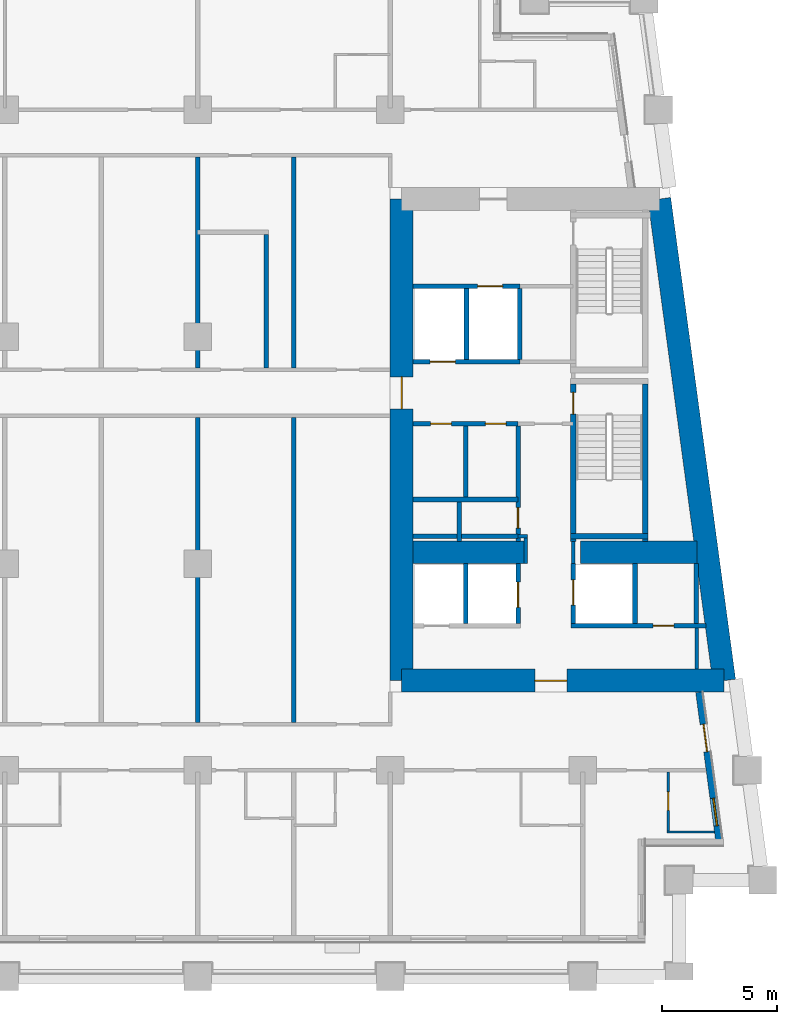
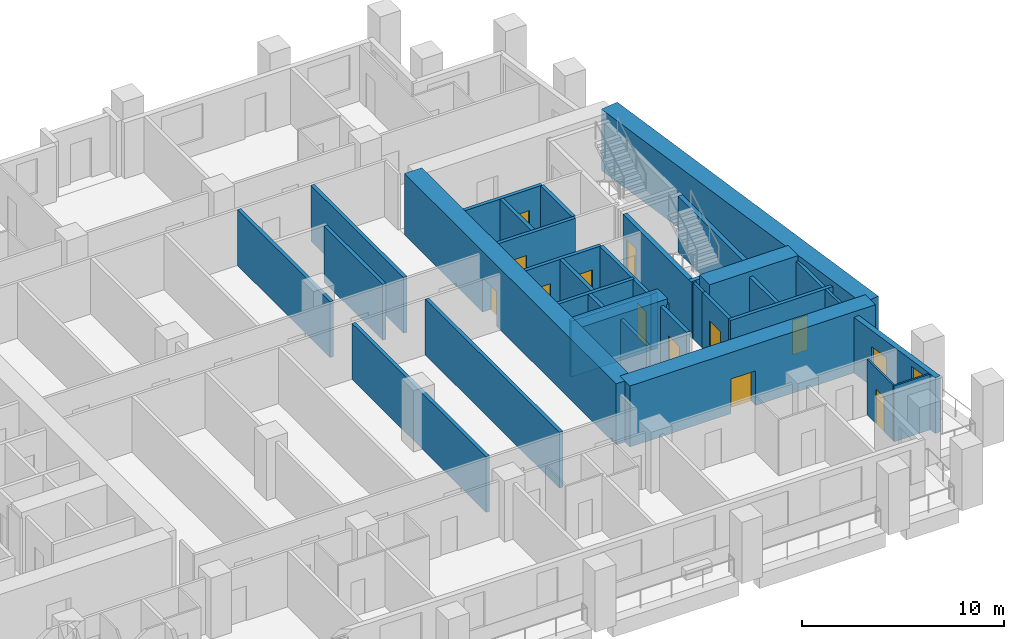
# One storey, part 5 of 13: 36 walls, 13 doors, 1 window, 14 openings.
"""IFC4 building model written with IfcOpenShell, lengths in metres."""

from ifc_helpers import new_model, si_unit, direction, frame, frame_2d, origin, place, context, subcontext, project, spatial, rectangle, extrude, material, layer, layer_set, type_object, element, fill, save


model = new_model("IFC4")

# Units and contexts
model_context = context("Model", 3, precision=1e-05, world=origin(), true_north=direction((0.0, 1.0)))
body_context = subcontext(model_context, "Body", "Model", "MODEL_VIEW")
ifc_project = project(units=[si_unit("LENGTHUNIT", "METRE"), si_unit("AREAUNIT", "SQUARE_METRE"), si_unit("VOLUMEUNIT", "CUBIC_METRE"), si_unit("PLANEANGLEUNIT", "RADIAN"), si_unit("MASSUNIT", "GRAM", prefix="KILO")], contexts=[model_context])

# Site, building, storey
site_placement = place(None, origin())
site = spatial("IfcSite", under=ifc_project, at=site_placement, CompositionType="ELEMENT")
building_placement = place(site_placement, origin())
building = spatial("IfcBuilding", under=site, at=building_placement, Name="Candeia Pilgrim Tower and Theatre", CompositionType="ELEMENT")
storey_placement = place(building_placement, frame((0.0, 0.0, 102.10009765625)))
storey = spatial("IfcBuildingStorey", under=building, at=storey_placement, Name="L23", CompositionType="ELEMENT", Elevation=102.10009765625)

# Wall
ifc_material_1 = material(Name="Concrete C70/85", Category="concrete")
ifc_layer_1 = layer(ifc_material_1, 1.0)
ifc_layer_set_1 = layer_set([ifc_layer_1], Name="Core wall 1000 C70/85")
wall_type_1 = type_object("IfcWallType", Name="Core wall 1000 C70/85", PredefinedType="SHEAR", material=ifc_layer_set_1)
wall_1_placement = place(storey_placement, frame((137.73193359375, 131.89990234375, 0.0), z_axis=(0.0, 0.0, 1.0), x_axis=(0.133411141623, -0.991060778808, 0.0)))
element("IfcWall", 1, at=wall_1_placement, inside=storey, type_object=wall_type_1, Name="Core wall E2", PredefinedType="SHEAR", context=body_context, shape_type="SweptSolid", body=[
    extrude(rectangle(XDim=21.189453125, YDim=1.0, at=frame_2d((10.5947265625, 0.0))), origin(), (0.0, 0.0, 1.0), 3.699951171875),
])

# Wall, opening, door
wall_2_placement = place(storey_placement, frame((140.558837890625, 110.89990234375, 0.0), z_axis=(0.0, 0.0, 1.0), x_axis=(-1.0, 0.0, 0.0)))
wall_2 = element("IfcWall", 2, at=wall_2_placement, inside=storey, type_object=wall_type_1, Name="Core wall E3", PredefinedType="SHEAR", context=body_context, shape_type="SweptSolid", body=[
    extrude(rectangle(XDim=14.058837890625, YDim=1.0, at=frame_2d((7.029296875, 0.0))), origin(), (0.0, 0.0, 1.0), 3.699951171875),
])
opening_1_placement = place(wall_2_placement, frame((6.857666015625, 0.0, 0.0)))
opening_1 = element("IfcOpeningElement", 3, at=opening_1_placement, cuts=wall_2, Name="Opening L23-D062", PredefinedType="OPENING", context=body_context, shape_type="SweptSolid", body=[
    extrude(rectangle(XDim=1.39990234375, YDim=2.10009765625, at=frame_2d((0.699951171875, 1.050048828125))), frame((0.0, 0.510009765625, 0.0), z_axis=(0.0, -1.0, 0.0), x_axis=(1.0, 0.0, 0.0)), (0.0, 0.0, 1.0), 1.02001953125),
])
ifc_material_2 = material(Name="Steel fire door set", Category="steel")
door_type_1 = type_object("IfcDoorType", Name="D-1400-FD60", OperationType="NOTDEFINED", PredefinedType="DOOR", material=ifc_material_2)
door_1_placement = place(opening_1_placement, origin())
door_1 = element("IfcDoor", 4, at=door_1_placement, inside=storey, type_object=door_type_1, Name="Door L23-D062", OperationType="SINGLE_SWING_LEFT", OverallHeight=2.10009765625, OverallWidth=1.39990234375, PredefinedType="DOOR", context=body_context, shape_type="SweptSolid", body=[
    extrude(rectangle(XDim=1.39990234375, YDim=2.10009765625, at=frame_2d((0.699951171875, 1.050048828125))), frame((0.0, 0.02490234375, 0.0), z_axis=(0.0, -1.0, 0.0), x_axis=(1.0, 0.0, 0.0)), (0.0, 0.0, 1.0), 0.050048828125),
])
fill(opening_1, door_1)

wall_3_placement = place(storey_placement, frame((126.5, 110.89990234375, 0.0), z_axis=(0.0, 0.0, 1.0), x_axis=(0.0, 1.0, 0.0)))
wall_3 = element("IfcWall", 5, at=wall_3_placement, inside=storey, type_object=wall_type_1, Name="Core wall E4", PredefinedType="SHEAR", context=body_context, shape_type="SweptSolid", body=[
    extrude(rectangle(XDim=21.0, YDim=1.0, at=frame_2d((10.5, 0.0))), origin(), (0.0, 0.0, 1.0), 3.699951171875),
])
opening_2_placement = place(wall_3_placement, frame((11.85009765625, 0.0, 0.0)))
opening_2 = element("IfcOpeningElement", 6, at=opening_2_placement, cuts=wall_3, Name="Opening L23-D064", PredefinedType="OPENING", context=body_context, shape_type="SweptSolid", body=[
    extrude(rectangle(XDim=1.39990234375, YDim=2.10009765625, at=frame_2d((0.699951171875, 1.050048828125))), frame((0.0, 0.510009765625, 0.0), z_axis=(0.0, -1.0, 0.0), x_axis=(1.0, 0.0, 0.0)), (0.0, 0.0, 1.0), 1.02001953125),
])
door_2_placement = place(opening_2_placement, origin())
door_2 = element("IfcDoor", 7, at=door_2_placement, inside=storey, type_object=door_type_1, Name="Door L23-D064", OperationType="SINGLE_SWING_LEFT", OverallHeight=2.10009765625, OverallWidth=1.39990234375, PredefinedType="DOOR", context=body_context, shape_type="SweptSolid", body=[
    extrude(rectangle(XDim=1.39990234375, YDim=2.10009765625, at=frame_2d((0.699951171875, 1.050048828125))), frame((0.0, 0.02490234375, 0.0), z_axis=(0.0, -1.0, 0.0), x_axis=(1.0, 0.0, 0.0)), (0.0, 0.0, 1.0), 0.050048828125),
])
fill(opening_2, door_2)

# Walls
wall_4_placement = place(storey_placement, frame((127.0, 116.5, 0.0), z_axis=(0.0, 0.0, 1.0), x_axis=(1.0, 0.0, 0.0)))
element("IfcWall", 8, at=wall_4_placement, inside=storey, type_object=wall_type_1, Name="Core wall E5", PredefinedType="SHEAR", context=body_context, shape_type="SweptSolid", body=[
    extrude(rectangle(XDim=4.89990234375, YDim=1.0, at=frame_2d((2.449951171875, 0.0))), origin(), (0.0, 0.0, 1.0), 3.699951171875),
])
wall_5_placement = place(storey_placement, frame((134.300048828125, 116.5, 0.0), z_axis=(0.0, 0.0, 1.0), x_axis=(1.0, 0.0, 0.0)))
element("IfcWall", 9, at=wall_5_placement, inside=storey, type_object=wall_type_1, Name="Core wall E6", PredefinedType="SHEAR", context=body_context, shape_type="SweptSolid", body=[
    extrude(rectangle(XDim=5.076904296875, YDim=1.0, at=frame_2d((2.53857421875, 0.0))), origin(), (0.0, 0.0, 1.0), 3.699951171875),
])

# Wall, openings, door, window
ifc_material_3 = material(Name="Ceramic block masonry", Category="masonry")
ifc_layer_2 = layer(ifc_material_3, 0.300048828125)
ifc_layer_set_2 = layer_set([ifc_layer_2], Name="EW1 glazing-line wall 300")
wall_type_2 = type_object("IfcWallType", Name="EW1 glazing-line wall 300", PredefinedType="SOLIDWALL", material=ifc_layer_set_2)
wall_6_placement = place(storey_placement, frame((140.34765625, 103.85009765625, 0.0), z_axis=(0.0, 0.0, 1.0), x_axis=(-0.133431549479, 0.991058031401, 0.0)))
wall_6 = element("IfcWall", 10, at=wall_6_placement, inside=storey, type_object=wall_type_2, Name="External wall L23-3.0", PredefinedType="SOLIDWALL", context=body_context, shape_type="SweptSolid", body=[
    extrude(rectangle(XDim=6.60888671875, YDim=0.300048828125, at=frame_2d((3.304443359375, 0.0))), origin(), (0.0, 0.0, 1.0), 3.3798828125),
])
opening_3_placement = place(wall_6_placement, frame((0.736572265625, 0.0, 0.89990234375)))
opening_3 = element("IfcOpeningElement", 11, at=opening_3_placement, cuts=wall_6, Name="Opening W-B", PredefinedType="OPENING", context=body_context, shape_type="SweptSolid", body=[
    extrude(rectangle(XDim=1.199951171875, YDim=2.10009765625, at=frame_2d((0.60009765625, 1.050048828125))), frame((0.0, 0.16015625, 0.0), z_axis=(0.0, -1.0, 0.0), x_axis=(1.0, 0.0, 0.0)), (0.0, 0.0, 1.0), 0.320068359375),
])
opening_4_placement = place(wall_6_placement, frame((3.990966796875, 0.0, 0.0)))
opening_4 = element("IfcOpeningElement", 12, at=opening_4_placement, cuts=wall_6, Name="Opening L23-ED235", PredefinedType="OPENING", context=body_context, shape_type="SweptSolid", body=[
    extrude(rectangle(XDim=1.199951171875, YDim=2.39990234375, at=frame_2d((0.60009765625, 1.199951171875))), frame((0.0, 0.16015625, 0.0), z_axis=(0.0, -1.0, 0.0), x_axis=(1.0, 0.0, 0.0)), (0.0, 0.0, 1.0), 0.320068359375),
])
ifc_material_4 = material(Name="Aluminium framed glazed door", Category="aluminium")
door_type_2 = type_object("IfcDoorType", Name="Loggia door 1200x2400", OperationType="DOUBLE_DOOR_SINGLE_SWING", PredefinedType="DOOR", material=ifc_material_4)
door_3_placement = place(opening_4_placement, origin())
door_3 = element("IfcDoor", 13, at=door_3_placement, inside=storey, type_object=door_type_2, Name="Loggia door L23-ED235", OperationType="DOUBLE_DOOR_SINGLE_SWING", OverallHeight=2.39990234375, OverallWidth=1.199951171875, PredefinedType="DOOR", context=body_context, shape_type="SweptSolid", body=[
    extrude(rectangle(XDim=1.199951171875, YDim=2.39990234375, at=frame_2d((0.60009765625, 1.199951171875))), frame((0.0, 0.02490234375, 0.0), z_axis=(0.0, -1.0, 0.0), x_axis=(1.0, 0.0, 0.0)), (0.0, 0.0, 1.0), 0.050048828125),
])
fill(opening_4, door_3)
ifc_material_5 = material(Name="Aluminium framed double glazing", Category="aluminium")
window_type = type_object("IfcWindowType", Name="W-B window 1200x2100", PartitioningType="SINGLE_PANEL", PredefinedType="WINDOW", material=ifc_material_5)
window_placement = place(opening_3_placement, origin())
window = element("IfcWindow", 14, at=window_placement, inside=storey, type_object=window_type, Name="Window W-B L23", OverallHeight=2.10009765625, OverallWidth=1.199951171875, PartitioningType="SINGLE_PANEL", PredefinedType="WINDOW", context=body_context, shape_type="SweptSolid", body=[
    extrude(rectangle(XDim=1.199951171875, YDim=2.10009765625, at=frame_2d((0.60009765625, 1.050048828125))), frame((0.0, 0.030029296875, 0.0), z_axis=(0.0, -1.0, 0.0), x_axis=(1.0, 0.0, 0.0)), (0.0, 0.0, 1.0), 0.06005859375),
])
fill(opening_3, window)

# Wall
ifc_material_6 = material(Name="Gypsum board partition on steel studs", Category="steel")
ifc_layer_3 = layer(ifc_material_6, 0.10009765625)
ifc_layer_set_3 = layer_set([ifc_layer_3], Name="PW-100 room partition")
wall_type_3 = type_object("IfcWallType", Name="PW-100 room partition", PredefinedType="PARTITIONING", material=ifc_layer_set_3)
wall_7_placement = place(storey_placement, frame((138.070068359375, 104.300048828125, 0.0), z_axis=(0.0, 0.0, 1.0), x_axis=(1.0, 0.0, 0.0)))
element("IfcWall", 15, at=wall_7_placement, inside=storey, type_object=wall_type_3, Name="Room partition L23-002", PredefinedType="PARTITIONING", context=body_context, shape_type="SweptSolid", body=[
    extrude(rectangle(XDim=2.07568359375, YDim=0.10009765625, at=frame_2d((1.037841796875, 0.0))), origin(), (0.0, 0.0, 1.0), 3.3798828125),
])

# Wall, opening, door
wall_8_placement = place(storey_placement, frame((138.1201171875, 104.35009765625, 0.0), z_axis=(0.0, 0.0, 1.0), x_axis=(0.0, 1.0, 0.0)))
wall_8 = element("IfcWall", 16, at=wall_8_placement, inside=storey, type_object=wall_type_3, Name="Room partition L23-123", PredefinedType="PARTITIONING", context=body_context, shape_type="SweptSolid", body=[
    extrude(rectangle(XDim=2.574951171875, YDim=0.10009765625, at=frame_2d((1.28759765625, 0.0))), origin(), (0.0, 0.0, 1.0), 3.3798828125),
])
opening_5_placement = place(wall_8_placement, frame((0.89990234375, 0.0, 0.0)))
opening_5 = element("IfcOpeningElement", 17, at=opening_5_placement, cuts=wall_8, Name="Opening L23-D033", PredefinedType="OPENING", context=body_context, shape_type="SweptSolid", body=[
    extrude(rectangle(XDim=0.800048828125, YDim=2.10009765625, at=frame_2d((0.39990234375, 1.050048828125))), frame((0.0, 0.06005859375, 0.0), z_axis=(0.0, -1.0, 0.0), x_axis=(1.0, 0.0, 0.0)), (0.0, 0.0, 1.0), 0.1201171875),
])
ifc_material_7 = material(Name="Timber door leaf", Category="wood")
door_type_3 = type_object("IfcDoorType", Name="D-800", OperationType="NOTDEFINED", PredefinedType="DOOR", material=ifc_material_7)
door_4_placement = place(opening_5_placement, origin())
door_4 = element("IfcDoor", 18, at=door_4_placement, inside=storey, type_object=door_type_3, Name="Door L23-D033", OperationType="SINGLE_SWING_RIGHT", OverallHeight=2.10009765625, OverallWidth=0.800048828125, PredefinedType="DOOR", context=body_context, shape_type="SweptSolid", body=[
    extrude(rectangle(XDim=0.800048828125, YDim=2.10009765625, at=frame_2d((0.39990234375, 1.050048828125))), frame((0.0, 0.02490234375, 0.0), z_axis=(0.0, -1.0, 0.0), x_axis=(1.0, 0.0, 0.0)), (0.0, 0.0, 1.0), 0.050048828125),
])
fill(opening_5, door_4)

# Walls
ifc_layer_4 = layer(ifc_material_6, 0.14990234375)
ifc_layer_set_4 = layer_set([ifc_layer_4], Name="PW-150 lobby wall")
wall_type_4 = type_object("IfcWallType", Name="PW-150 lobby wall", PredefinedType="PARTITIONING", material=ifc_layer_set_4)
wall_9_placement = place(storey_placement, frame((131.572998046875, 117.199951171875, 0.0), z_axis=(0.0, 0.0, 1.0), x_axis=(1.0, 0.0, 0.0)))
element("IfcWall", 19, at=wall_9_placement, inside=storey, type_object=wall_type_4, Name="Lobby wall L23-018", PredefinedType="PARTITIONING", context=body_context, shape_type="SweptSolid", body=[
    extrude(rectangle(XDim=0.402099609375, YDim=0.14990234375, at=frame_2d((0.201171875, 0.0))), origin(), (0.0, 0.0, 1.0), 3.3798828125),
])
wall_10_placement = place(storey_placement, frame((131.89990234375, 116.0, 0.0), z_axis=(0.0, 0.0, 1.0), x_axis=(0.0, 1.0, 0.0)))
element("IfcWall", 20, at=wall_10_placement, inside=storey, type_object=wall_type_4, Name="Lobby wall L23-112", PredefinedType="PARTITIONING", context=body_context, shape_type="SweptSolid", body=[
    extrude(rectangle(XDim=1.125, YDim=0.14990234375, at=frame_2d((0.5625, 0.0))), origin(), (0.0, 0.0, 1.0), 3.3798828125),
])
wall_11_placement = place(storey_placement, frame((133.972900390625, 116.0, 0.0), z_axis=(0.0, 0.0, 1.0), x_axis=(0.0, 1.0, 0.0)))
element("IfcWall", 21, at=wall_11_placement, inside=storey, type_object=wall_type_4, Name="Lobby wall L23-115", PredefinedType="PARTITIONING", context=body_context, shape_type="SweptSolid", body=[
    extrude(rectangle(XDim=0.969970703125, YDim=0.14990234375, at=frame_2d((0.48486328125, 0.0))), origin(), (0.0, 0.0, 1.0), 3.3798828125),
])
wall_12_placement = place(storey_placement, frame((139.37109375, 111.39990234375, 0.0), z_axis=(0.0, 0.0, 1.0), x_axis=(0.0, 1.0, 0.0)))
element("IfcWall", 22, at=wall_12_placement, inside=storey, type_object=wall_type_4, Name="Lobby wall L23-125", PredefinedType="PARTITIONING", context=body_context, shape_type="SweptSolid", body=[
    extrude(rectangle(XDim=1.800048828125, YDim=0.14990234375, at=frame_2d((0.89990234375, 0.0))), origin(), (0.0, 0.0, 1.0), 3.3798828125),
])
ifc_layer_5 = layer(ifc_material_6, 0.199951171875)
ifc_layer_set_5 = layer_set([ifc_layer_5], Name="PW-200 party wall")
wall_type_5 = type_object("IfcWallType", Name="PW-200 party wall", PredefinedType="PARTITIONING", material=ifc_layer_set_5)
wall_13_placement = place(storey_placement, frame((117.60009765625, 109.074951171875, 0.0), z_axis=(0.0, 0.0, 1.0), x_axis=(0.0, 1.0, 0.0)))
element("IfcWall", 23, at=wall_13_placement, inside=storey, type_object=wall_type_5, Name="Party wall L23-089", PredefinedType="PARTITIONING", context=body_context, shape_type="SweptSolid", body=[
    extrude(rectangle(XDim=13.300048828125, YDim=0.199951171875, at=frame_2d((6.64990234375, 0.0))), origin(), (0.0, 0.0, 1.0), 3.3798828125),
])
wall_14_placement = place(storey_placement, frame((117.60009765625, 124.52490234375, 0.0), z_axis=(0.0, 0.0, 1.0), x_axis=(0.0, 1.0, 0.0)))
element("IfcWall", 24, at=wall_14_placement, inside=storey, type_object=wall_type_5, Name="Party wall L23-090", PredefinedType="PARTITIONING", context=body_context, shape_type="SweptSolid", body=[
    extrude(rectangle(XDim=9.2001953125, YDim=0.199951171875, at=frame_2d((4.60009765625, 0.0))), origin(), (0.0, 0.0, 1.0), 3.3798828125),
])
wall_15_placement = place(storey_placement, frame((120.60009765625, 124.52490234375, 0.0), z_axis=(0.0, 0.0, 1.0), x_axis=(0.0, 1.0, 0.0)))
element("IfcWall", 25, at=wall_15_placement, inside=storey, type_object=wall_type_5, Name="Party wall L23-093", PredefinedType="PARTITIONING", context=body_context, shape_type="SweptSolid", body=[
    extrude(rectangle(XDim=5.8251953125, YDim=0.199951171875, at=frame_2d((2.91259765625, 0.0))), origin(), (0.0, 0.0, 1.0), 3.3798828125),
])
wall_16_placement = place(storey_placement, frame((121.800048828125, 109.074951171875, 0.0), z_axis=(0.0, 0.0, 1.0), x_axis=(0.0, 1.0, 0.0)))
element("IfcWall", 26, at=wall_16_placement, inside=storey, type_object=wall_type_5, Name="Party wall L23-095", PredefinedType="PARTITIONING", context=body_context, shape_type="SweptSolid", body=[
    extrude(rectangle(XDim=13.300048828125, YDim=0.199951171875, at=frame_2d((6.64990234375, 0.0))), origin(), (0.0, 0.0, 1.0), 3.3798828125),
])
wall_17_placement = place(storey_placement, frame((121.800048828125, 124.52490234375, 0.0), z_axis=(0.0, 0.0, 1.0), x_axis=(0.0, 1.0, 0.0)))
element("IfcWall", 27, at=wall_17_placement, inside=storey, type_object=wall_type_5, Name="Party wall L23-096", PredefinedType="PARTITIONING", context=body_context, shape_type="SweptSolid", body=[
    extrude(rectangle(XDim=9.2001953125, YDim=0.199951171875, at=frame_2d((4.60009765625, 0.0))), origin(), (0.0, 0.0, 1.0), 3.3798828125),
])

# Wall, opening, door
ifc_material_8 = material(Name="Concrete C40/50", Category="concrete")
ifc_layer_6 = layer(ifc_material_8, 0.199951171875)
ifc_layer_set_6 = layer_set([ifc_layer_6], Name="SW-200 shaft wall")
wall_type_6 = type_object("IfcWallType", Name="SW-200 shaft wall", PredefinedType="PARTITIONING", material=ifc_layer_set_6)
wall_18_placement = place(storey_placement, frame((133.873046875, 113.300048828125, 0.0), z_axis=(0.0, 0.0, 1.0), x_axis=(1.0, 0.0, 0.0)))
wall_18 = element("IfcWall", 28, at=wall_18_placement, inside=storey, type_object=wall_type_6, Name="Shaft wall L23-014", PredefinedType="PARTITIONING", context=body_context, shape_type="SweptSolid", body=[
    extrude(rectangle(XDim=5.888427734375, YDim=0.199951171875, at=frame_2d((2.9443359375, 0.0))), origin(), (0.0, 0.0, 1.0), 3.3798828125),
])
opening_6_placement = place(wall_18_placement, frame((3.589111328125, 0.0, 0.0)))
opening_6 = element("IfcOpeningElement", 29, at=opening_6_placement, cuts=wall_18, Name="Opening L23-D015", PredefinedType="OPENING", context=body_context, shape_type="SweptSolid", body=[
    extrude(rectangle(XDim=0.89990234375, YDim=2.10009765625, at=frame_2d((0.449951171875, 1.050048828125))), frame((0.0, 0.10986328125, 0.0), z_axis=(0.0, -1.0, 0.0), x_axis=(1.0, 0.0, 0.0)), (0.0, 0.0, 1.0), 0.219970703125),
])
door_type_4 = type_object("IfcDoorType", Name="D-900-FD60", OperationType="NOTDEFINED", PredefinedType="DOOR", material=ifc_material_2)
door_5_placement = place(opening_6_placement, origin())
door_5 = element("IfcDoor", 30, at=door_5_placement, inside=storey, type_object=door_type_4, Name="Door L23-D015", OperationType="SINGLE_SWING_RIGHT", OverallHeight=2.10009765625, OverallWidth=0.89990234375, PredefinedType="DOOR", context=body_context, shape_type="SweptSolid", body=[
    extrude(rectangle(XDim=0.89990234375, YDim=2.10009765625, at=frame_2d((0.449951171875, 1.050048828125))), frame((0.0, 0.02490234375, 0.0), z_axis=(0.0, -1.0, 0.0), x_axis=(1.0, 0.0, 0.0)), (0.0, 0.0, 1.0), 0.050048828125),
])
fill(opening_6, door_5)

# Walls
for number, where, z_axis, x_axis, name in (
    (31, (127.0, 117.199951171875, 0.0), (0.0, 0.0, 1.0), (1.0, 0.0, 0.0), "Shaft wall L23-016"),
    (32, (127.0, 118.800048828125, 0.0), (0.0, 0.0, 1.0), (1.0, 0.0, 0.0), "Shaft wall L23-022"),
):
    element("IfcWall", number, at=place(storey_placement, frame(where, z_axis=z_axis, x_axis=x_axis)), inside=storey, type_object=wall_type_6, Name=name, PredefinedType="PARTITIONING", context=body_context, shape_type="SweptSolid", body=[
        extrude(rectangle(XDim=4.572998046875, YDim=0.199951171875, at=frame_2d((2.28662109375, 0.0))), origin(), (0.0, 0.0, 1.0), 3.3798828125),
    ])

# Wall, openings, doors
wall_19_placement = place(storey_placement, frame((127.0, 122.10009765625, 0.0), z_axis=(0.0, 0.0, 1.0), x_axis=(1.0, 0.0, 0.0)))
wall_19 = element("IfcWall", 33, at=wall_19_placement, inside=storey, type_object=wall_type_6, Name="Shaft wall L23-024", PredefinedType="PARTITIONING", context=body_context, shape_type="SweptSolid", body=[
    extrude(rectangle(XDim=4.572998046875, YDim=0.199951171875, at=frame_2d((2.28662109375, 0.0))), origin(), (0.0, 0.0, 1.0), 3.3798828125),
])
opening_7_placement = place(wall_19_placement, frame((3.15087890625, 0.0, 0.0)))
opening_7 = element("IfcOpeningElement", 34, at=opening_7_placement, cuts=wall_19, Name="Opening L23-D010", PredefinedType="OPENING", context=body_context, shape_type="SweptSolid", body=[
    extrude(rectangle(XDim=0.89990234375, YDim=2.10009765625, at=frame_2d((0.449951171875, 1.050048828125))), frame((0.0, 0.10986328125, 0.0), z_axis=(0.0, -1.0, 0.0), x_axis=(1.0, 0.0, 0.0)), (0.0, 0.0, 1.0), 0.219970703125),
])
opening_8_placement = place(wall_19_placement, frame((0.761962890625, 0.0, 0.0)))
opening_8 = element("IfcOpeningElement", 35, at=opening_8_placement, cuts=wall_19, Name="Opening L23-D011", PredefinedType="OPENING", context=body_context, shape_type="SweptSolid", body=[
    extrude(rectangle(XDim=0.89990234375, YDim=2.10009765625, at=frame_2d((0.449951171875, 1.050048828125))), frame((0.0, 0.10986328125, 0.0), z_axis=(0.0, -1.0, 0.0), x_axis=(1.0, 0.0, 0.0)), (0.0, 0.0, 1.0), 0.219970703125),
])
door_6_placement = place(opening_7_placement, origin())
door_6 = element("IfcDoor", 36, at=door_6_placement, inside=storey, type_object=door_type_4, Name="Door L23-D010", OperationType="SINGLE_SWING_RIGHT", OverallHeight=2.10009765625, OverallWidth=0.89990234375, PredefinedType="DOOR", context=body_context, shape_type="SweptSolid", body=[
    extrude(rectangle(XDim=0.89990234375, YDim=2.10009765625, at=frame_2d((0.449951171875, 1.050048828125))), frame((0.0, 0.02490234375, 0.0), z_axis=(0.0, -1.0, 0.0), x_axis=(1.0, 0.0, 0.0)), (0.0, 0.0, 1.0), 0.050048828125),
])
fill(opening_7, door_6)
door_7_placement = place(opening_8_placement, origin())
door_7 = element("IfcDoor", 37, at=door_7_placement, inside=storey, type_object=door_type_4, Name="Door L23-D011", OperationType="SINGLE_SWING_LEFT", OverallHeight=2.10009765625, OverallWidth=0.89990234375, PredefinedType="DOOR", context=body_context, shape_type="SweptSolid", body=[
    extrude(rectangle(XDim=0.89990234375, YDim=2.10009765625, at=frame_2d((0.449951171875, 1.050048828125))), frame((0.0, 0.02490234375, 0.0), z_axis=(0.0, -1.0, 0.0), x_axis=(1.0, 0.0, 0.0)), (0.0, 0.0, 1.0), 0.050048828125),
])
fill(opening_8, door_7)

# Wall, opening, door
wall_20_placement = place(storey_placement, frame((127.0, 124.800048828125, 0.0), z_axis=(0.0, 0.0, 1.0), x_axis=(1.0, 0.0, 0.0)))
wall_20 = element("IfcWall", 38, at=wall_20_placement, inside=storey, type_object=wall_type_6, Name="Shaft wall L23-034", PredefinedType="PARTITIONING", context=body_context, shape_type="SweptSolid", body=[
    extrude(rectangle(XDim=4.648681640625, YDim=0.199951171875, at=frame_2d((2.32421875, 0.0))), origin(), (0.0, 0.0, 1.0), 3.3798828125),
])
opening_9_placement = place(wall_20_placement, frame((0.742919921875, 0.0, 0.0)))
opening_9 = element("IfcOpeningElement", 39, at=opening_9_placement, cuts=wall_20, Name="Opening L23-LD05", PredefinedType="OPENING", context=body_context, shape_type="SweptSolid", body=[
    extrude(rectangle(XDim=1.10009765625, YDim=2.10009765625, at=frame_2d((0.550048828125, 1.050048828125))), frame((0.0, 0.10986328125, 0.0), z_axis=(0.0, -1.0, 0.0), x_axis=(1.0, 0.0, 0.0)), (0.0, 0.0, 1.0), 0.219970703125),
])
ifc_material_9 = material(Name="Glazed aluminium landing door", Category="aluminium")
door_type_5 = type_object("IfcDoorType", Name="LD-1100-EI120", OperationType="SLIDING_TO_LEFT", PredefinedType="DOOR", material=ifc_material_9)
door_8_placement = place(opening_9_placement, origin())
door_8 = element("IfcDoor", 40, at=door_8_placement, inside=storey, type_object=door_type_5, Name="Landing door 05 L23", OperationType="SLIDING_TO_LEFT", OverallHeight=2.10009765625, OverallWidth=1.10009765625, PredefinedType="DOOR", context=body_context, shape_type="SweptSolid", body=[
    extrude(rectangle(XDim=1.10009765625, YDim=2.10009765625, at=frame_2d((0.550048828125, 1.050048828125))), frame((0.0, 0.02490234375, 0.0), z_axis=(0.0, -1.0, 0.0), x_axis=(1.0, 0.0, 0.0)), (0.0, 0.0, 1.0), 0.050048828125),
])
fill(opening_9, door_8)

wall_21_placement = place(storey_placement, frame((127.0, 128.10009765625, 0.0), z_axis=(0.0, 0.0, 1.0), x_axis=(1.0, 0.0, 0.0)))
wall_21 = element("IfcWall", 41, at=wall_21_placement, inside=storey, type_object=wall_type_6, Name="Shaft wall L23-037", PredefinedType="PARTITIONING", context=body_context, shape_type="SweptSolid", body=[
    extrude(rectangle(XDim=4.648681640625, YDim=0.199951171875, at=frame_2d((2.32421875, 0.0))), origin(), (0.0, 0.0, 1.0), 3.3798828125),
])
opening_10_placement = place(wall_21_placement, frame((2.804931640625, 0.0, 0.0)))
opening_10 = element("IfcOpeningElement", 42, at=opening_10_placement, cuts=wall_21, Name="Opening L23-LD04", PredefinedType="OPENING", context=body_context, shape_type="SweptSolid", body=[
    extrude(rectangle(XDim=1.10009765625, YDim=2.10009765625, at=frame_2d((0.550048828125, 1.050048828125))), frame((0.0, 0.10986328125, 0.0), z_axis=(0.0, -1.0, 0.0), x_axis=(1.0, 0.0, 0.0)), (0.0, 0.0, 1.0), 0.219970703125),
])
door_9_placement = place(opening_10_placement, origin())
door_9 = element("IfcDoor", 43, at=door_9_placement, inside=storey, type_object=door_type_5, Name="Landing door 04 L23", OperationType="SLIDING_TO_LEFT", OverallHeight=2.10009765625, OverallWidth=1.10009765625, PredefinedType="DOOR", context=body_context, shape_type="SweptSolid", body=[
    extrude(rectangle(XDim=1.10009765625, YDim=2.10009765625, at=frame_2d((0.550048828125, 1.050048828125))), frame((0.0, 0.02490234375, 0.0), z_axis=(0.0, -1.0, 0.0), x_axis=(1.0, 0.0, 0.0)), (0.0, 0.0, 1.0), 0.050048828125),
])
fill(opening_10, door_9)

# Walls
wall_22_placement = place(storey_placement, frame((129.0, 116.969970703125, 0.0), z_axis=(0.0, 0.0, 1.0), x_axis=(0.0, 1.0, 0.0)))
element("IfcWall", 44, at=wall_22_placement, inside=storey, type_object=wall_type_6, Name="Shaft wall L23-103", PredefinedType="PARTITIONING", context=body_context, shape_type="SweptSolid", body=[
    extrude(rectangle(XDim=1.72998046875, YDim=0.199951171875, at=frame_2d((0.864990234375, 0.0))), origin(), (0.0, 0.0, 1.0), 3.3798828125),
])
wall_23_placement = place(storey_placement, frame((129.28662109375, 113.39990234375, 0.0), z_axis=(0.0, 0.0, 1.0), x_axis=(0.0, 1.0, 0.0)))
element("IfcWall", 45, at=wall_23_placement, inside=storey, type_object=wall_type_6, Name="Shaft wall L23-104", PredefinedType="PARTITIONING", context=body_context, shape_type="SweptSolid", body=[
    extrude(rectangle(XDim=2.60009765625, YDim=0.199951171875, at=frame_2d((1.300048828125, 0.0))), origin(), (0.0, 0.0, 1.0), 3.3798828125),
])
for number, where, z_axis, x_axis, name in (
    (46, (129.28662109375, 118.89990234375, 0.0), (0.0, 0.0, 1.0), (0.0, 1.0, 0.0), "Shaft wall L23-105"),
    (47, (129.32421875, 124.89990234375, 0.0), (0.0, 0.0, 1.0), (0.0, 1.0, 0.0), "Shaft wall L23-106"),
):
    element("IfcWall", number, at=place(storey_placement, frame(where, z_axis=z_axis, x_axis=x_axis)), inside=storey, type_object=wall_type_6, Name=name, PredefinedType="PARTITIONING", context=body_context, shape_type="SweptSolid", body=[
        extrude(rectangle(XDim=3.10009765625, YDim=0.199951171875, at=frame_2d((1.550048828125, 0.0))), origin(), (0.0, 0.0, 1.0), 3.3798828125),
    ])

# Wall, opening, door
wall_24_placement = place(storey_placement, frame((131.572998046875, 113.39990234375, 0.0), z_axis=(0.0, 0.0, 1.0), x_axis=(0.0, 1.0, 0.0)))
wall_24 = element("IfcWall", 48, at=wall_24_placement, inside=storey, type_object=wall_type_6, Name="Shaft wall L23-108", PredefinedType="PARTITIONING", context=body_context, shape_type="SweptSolid", body=[
    extrude(rectangle(XDim=2.60009765625, YDim=0.199951171875, at=frame_2d((1.300048828125, 0.0))), origin(), (0.0, 0.0, 1.0), 3.3798828125),
])
opening_11_placement = place(wall_24_placement, frame((0.699951171875, 0.0, 0.0)))
opening_11 = element("IfcOpeningElement", 49, at=opening_11_placement, cuts=wall_24, Name="Opening L23-LD07", PredefinedType="OPENING", context=body_context, shape_type="SweptSolid", body=[
    extrude(rectangle(XDim=1.10009765625, YDim=2.10009765625, at=frame_2d((0.550048828125, 1.050048828125))), frame((0.0, 0.10986328125, 0.0), z_axis=(0.0, -1.0, 0.0), x_axis=(1.0, 0.0, 0.0)), (0.0, 0.0, 1.0), 0.219970703125),
])
door_10_placement = place(opening_11_placement, origin())
door_10 = element("IfcDoor", 50, at=door_10_placement, inside=storey, type_object=door_type_5, Name="Landing door 07 L23", OperationType="SLIDING_TO_LEFT", OverallHeight=2.10009765625, OverallWidth=1.10009765625, PredefinedType="DOOR", context=body_context, shape_type="SweptSolid", body=[
    extrude(rectangle(XDim=1.10009765625, YDim=2.10009765625, at=frame_2d((0.550048828125, 1.050048828125))), frame((0.0, 0.02490234375, 0.0), z_axis=(0.0, -1.0, 0.0), x_axis=(1.0, 0.0, 0.0)), (0.0, 0.0, 1.0), 0.050048828125),
])
fill(opening_11, door_10)

wall_25_placement = place(storey_placement, frame((131.572998046875, 116.969970703125, 0.0), z_axis=(0.0, 0.0, 1.0), x_axis=(0.0, 1.0, 0.0)))
wall_25 = element("IfcWall", 51, at=wall_25_placement, inside=storey, type_object=wall_type_6, Name="Shaft wall L23-109", PredefinedType="PARTITIONING", context=body_context, shape_type="SweptSolid", body=[
    extrude(rectangle(XDim=5.030029296875, YDim=0.199951171875, at=frame_2d((2.51513671875, 0.0))), origin(), (0.0, 0.0, 1.0), 3.3798828125),
])
opening_12_placement = place(wall_25_placement, frame((0.580078125, 0.0, 0.0)))
opening_12 = element("IfcOpeningElement", 52, at=opening_12_placement, cuts=wall_25, Name="Opening L23-D014", PredefinedType="OPENING", context=body_context, shape_type="SweptSolid", body=[
    extrude(rectangle(XDim=0.89990234375, YDim=2.10009765625, at=frame_2d((0.449951171875, 1.050048828125))), frame((0.0, 0.10986328125, 0.0), z_axis=(0.0, -1.0, 0.0), x_axis=(1.0, 0.0, 0.0)), (0.0, 0.0, 1.0), 0.219970703125),
])
door_11_placement = place(opening_12_placement, origin())
door_11 = element("IfcDoor", 53, at=door_11_placement, inside=storey, type_object=door_type_4, Name="Door L23-D014", OperationType="SINGLE_SWING_RIGHT", OverallHeight=2.10009765625, OverallWidth=0.89990234375, PredefinedType="DOOR", context=body_context, shape_type="SweptSolid", body=[
    extrude(rectangle(XDim=0.89990234375, YDim=2.10009765625, at=frame_2d((0.449951171875, 1.050048828125))), frame((0.0, 0.02490234375, 0.0), z_axis=(0.0, -1.0, 0.0), x_axis=(1.0, 0.0, 0.0)), (0.0, 0.0, 1.0), 0.050048828125),
])
fill(opening_12, door_11)

# Wall
wall_26_placement = place(storey_placement, frame((131.648681640625, 124.89990234375, 0.0), z_axis=(0.0, 0.0, 1.0), x_axis=(0.0, 1.0, 0.0)))
element("IfcWall", 54, at=wall_26_placement, inside=storey, type_object=wall_type_6, Name="Shaft wall L23-110", PredefinedType="PARTITIONING", context=body_context, shape_type="SweptSolid", body=[
    extrude(rectangle(XDim=3.10009765625, YDim=0.199951171875, at=frame_2d((1.550048828125, 0.0))), origin(), (0.0, 0.0, 1.0), 3.3798828125),
])

# Wall, opening, door
wall_27_placement = place(storey_placement, frame((133.972900390625, 113.39990234375, 0.0), z_axis=(0.0, 0.0, 1.0), x_axis=(0.0, 1.0, 0.0)))
wall_27 = element("IfcWall", 55, at=wall_27_placement, inside=storey, type_object=wall_type_6, Name="Shaft wall L23-114", PredefinedType="PARTITIONING", context=body_context, shape_type="SweptSolid", body=[
    extrude(rectangle(XDim=2.60009765625, YDim=0.199951171875, at=frame_2d((1.300048828125, 0.0))), origin(), (0.0, 0.0, 1.0), 3.3798828125),
])
opening_13_placement = place(wall_27_placement, frame((0.7900390625, 0.0, 0.0)))
opening_13 = element("IfcOpeningElement", 56, at=opening_13_placement, cuts=wall_27, Name="Opening L23-LD06", PredefinedType="OPENING", context=body_context, shape_type="SweptSolid", body=[
    extrude(rectangle(XDim=1.10009765625, YDim=2.10009765625, at=frame_2d((0.550048828125, 1.050048828125))), frame((0.0, 0.10986328125, 0.0), z_axis=(0.0, -1.0, 0.0), x_axis=(1.0, 0.0, 0.0)), (0.0, 0.0, 1.0), 0.219970703125),
])
door_12_placement = place(opening_13_placement, origin())
door_12 = element("IfcDoor", 57, at=door_12_placement, inside=storey, type_object=door_type_5, Name="Landing door 06 L23", OperationType="SLIDING_TO_LEFT", OverallHeight=2.10009765625, OverallWidth=1.10009765625, PredefinedType="DOOR", context=body_context, shape_type="SweptSolid", body=[
    extrude(rectangle(XDim=1.10009765625, YDim=2.10009765625, at=frame_2d((0.550048828125, 1.050048828125))), frame((0.0, 0.02490234375, 0.0), z_axis=(0.0, -1.0, 0.0), x_axis=(1.0, 0.0, 0.0)), (0.0, 0.0, 1.0), 0.050048828125),
])
fill(opening_13, door_12)

# Walls
for number, where, z_axis, x_axis, name in (
    (58, (136.672119140625, 113.39990234375, 0.0), (0.0, 0.0, 1.0), (0.0, 1.0, 0.0), "Shaft wall L23-120"),
    (59, (139.348876953125, 113.39990234375, 0.0), (0.0, 0.0, 1.0), (0.0, 1.0, 0.0), "Shaft wall L23-124"),
):
    element("IfcWall", number, at=place(storey_placement, frame(where, z_axis=z_axis, x_axis=x_axis)), inside=storey, type_object=wall_type_6, Name=name, PredefinedType="PARTITIONING", context=body_context, shape_type="SweptSolid", body=[
        extrude(rectangle(XDim=2.60009765625, YDim=0.199951171875, at=frame_2d((1.300048828125, 0.0))), origin(), (0.0, 0.0, 1.0), 3.3798828125),
    ])
ifc_layer_7 = layer(ifc_material_8, 0.25)
ifc_layer_set_7 = layer_set([ifc_layer_7], Name="SW-250 stair wall")
wall_type_7 = type_object("IfcWallType", Name="SW-250 stair wall", PredefinedType="PARTITIONING", material=ifc_layer_set_7)
wall_28_placement = place(storey_placement, frame((133.847900390625, 117.199951171875, 0.0), z_axis=(0.0, 0.0, 1.0), x_axis=(1.0, 0.0, 0.0)))
element("IfcWall", 60, at=wall_28_placement, inside=storey, type_object=wall_type_7, Name="Stair wall L23-020", PredefinedType="PARTITIONING", context=body_context, shape_type="SweptSolid", body=[
    extrude(rectangle(XDim=3.400146484375, YDim=0.25, at=frame_2d((1.7001953125, 0.0))), origin(), (0.0, 0.0, 1.0), 3.3798828125),
])

# Wall, opening, door
wall_29_placement = place(storey_placement, frame((133.972900390625, 116.969970703125, 0.0), z_axis=(0.0, 0.0, 1.0), x_axis=(0.0, 1.0, 0.0)))
wall_29 = element("IfcWall", 61, at=wall_29_placement, inside=storey, type_object=wall_type_7, Name="Stair wall L23-117", PredefinedType="PARTITIONING", context=body_context, shape_type="SweptSolid", body=[
    extrude(rectangle(XDim=6.85498046875, YDim=0.25, at=frame_2d((3.427490234375, 0.0))), origin(), (0.0, 0.0, 1.0), 3.3798828125),
])
opening_14_placement = place(wall_29_placement, frame((5.554931640625, 0.0, 0.0)))
opening_14 = element("IfcOpeningElement", 62, at=opening_14_placement, cuts=wall_29, Name="Opening L23-D012", PredefinedType="OPENING", context=body_context, shape_type="SweptSolid", body=[
    extrude(rectangle(XDim=0.949951171875, YDim=2.10009765625, at=frame_2d((0.47509765625, 1.050048828125))), frame((0.0, 0.135009765625, 0.0), z_axis=(0.0, -1.0, 0.0), x_axis=(1.0, 0.0, 0.0)), (0.0, 0.0, 1.0), 0.27001953125),
])
door_type_6 = type_object("IfcDoorType", Name="D-950-FD60", OperationType="NOTDEFINED", PredefinedType="DOOR", material=ifc_material_2)
door_13_placement = place(opening_14_placement, origin())
door_13 = element("IfcDoor", 63, at=door_13_placement, inside=storey, type_object=door_type_6, Name="Door L23-D012", OperationType="SINGLE_SWING_RIGHT", OverallHeight=2.10009765625, OverallWidth=0.949951171875, PredefinedType="DOOR", context=body_context, shape_type="SweptSolid", body=[
    extrude(rectangle(XDim=0.949951171875, YDim=2.10009765625, at=frame_2d((0.47509765625, 1.050048828125))), frame((0.0, 0.02490234375, 0.0), z_axis=(0.0, -1.0, 0.0), x_axis=(1.0, 0.0, 0.0)), (0.0, 0.0, 1.0), 0.050048828125),
])
fill(opening_14, door_13)

# Wall
wall_30_placement = place(storey_placement, frame((137.123046875, 116.969970703125, 0.0), z_axis=(0.0, 0.0, 1.0), x_axis=(0.0, 1.0, 0.0)))
element("IfcWall", 64, at=wall_30_placement, inside=storey, type_object=wall_type_7, Name="Stair wall L23-121", PredefinedType="PARTITIONING", context=body_context, shape_type="SweptSolid", body=[
    extrude(rectangle(XDim=6.85498046875, YDim=0.25, at=frame_2d((3.427490234375, 0.0))), origin(), (0.0, 0.0, 1.0), 3.3798828125),
])

save(model, "model.ifc")
